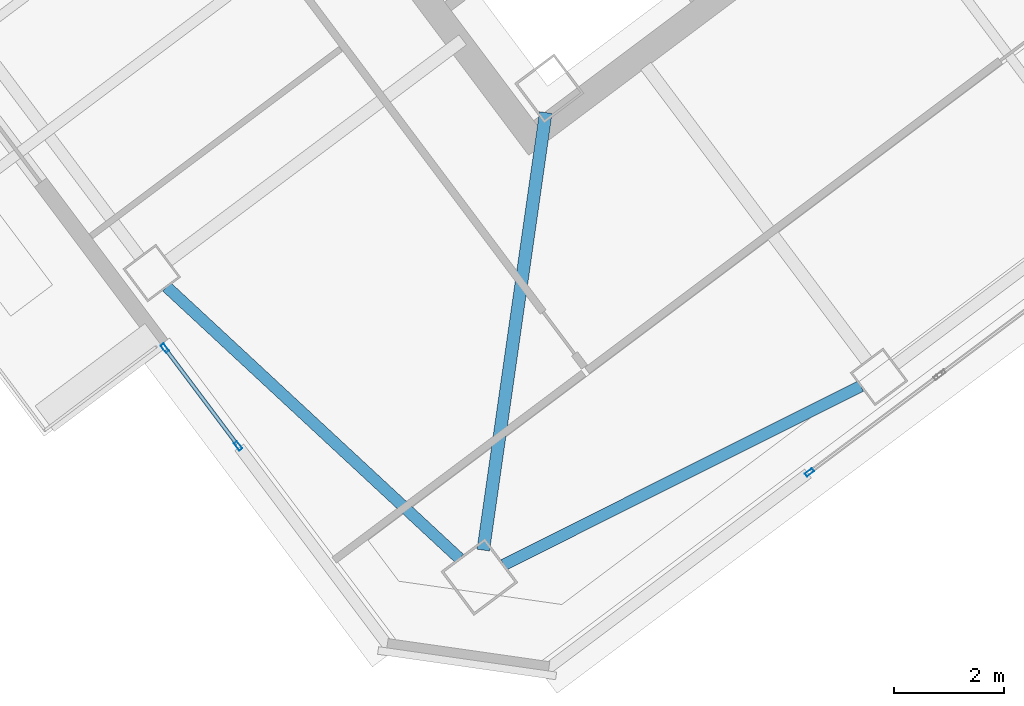
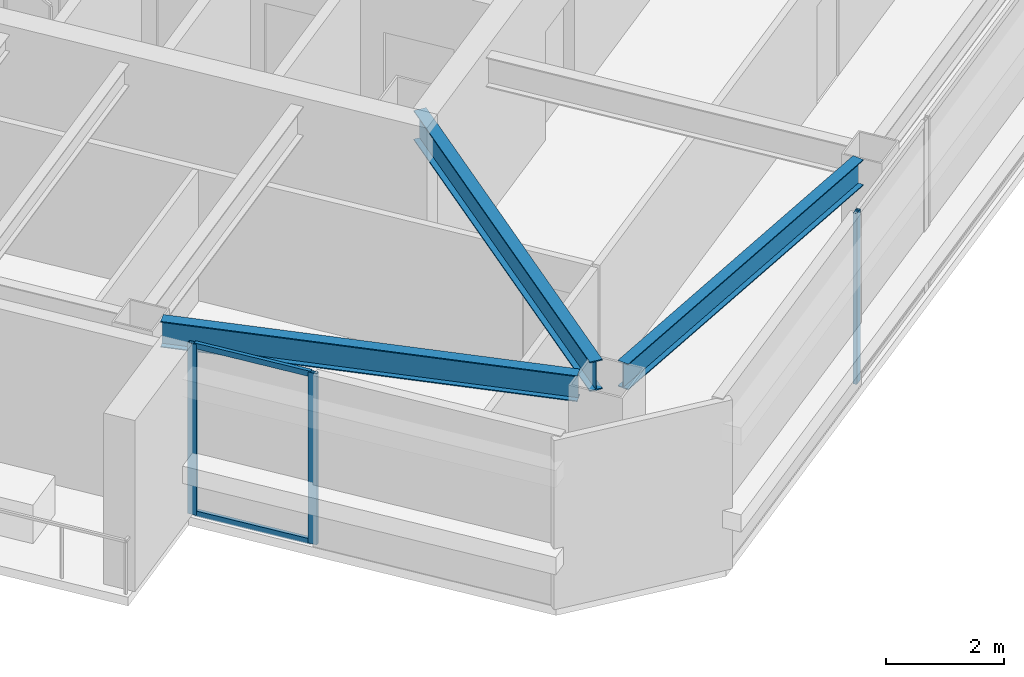
# One storey, part 17 of 39: 5 members, 3 beams, 2 elements without a shape of their own.
"""IFC4 building model written with IfcOpenShell, lengths in metres."""

from ifc_helpers import new_model, si_unit, direction, frame, origin, origin_2d, place, context, subcontext, project, spatial, hollow_rectangle, i_section, extrude, material, material_profile, profile_set, type_object, element, aggregate, save


model = new_model("IFC4")

# Units and contexts
model_context = context("Model", 3, precision=1e-05, world=origin(), true_north=direction((0.0, 1.0)))
body_context = subcontext(model_context, "Body", "Model", "MODEL_VIEW")
ifc_project = project(units=[si_unit("LENGTHUNIT", "METRE"), si_unit("AREAUNIT", "SQUARE_METRE"), si_unit("VOLUMEUNIT", "CUBIC_METRE"), si_unit("PLANEANGLEUNIT", "RADIAN"), si_unit("MASSUNIT", "GRAM", prefix="KILO")], contexts=[model_context])

# Site, building, storey
site_placement = place(None, origin())
site = spatial("IfcSite", under=ifc_project, at=site_placement, CompositionType="ELEMENT")
building_placement = place(site_placement, origin())
building = spatial("IfcBuilding", under=site, at=building_placement, Name="Tashvorn Skyway Center", CompositionType="ELEMENT")
storey_placement = place(building_placement, frame((0.0, 0.0, 225.5)))
storey = spatial("IfcBuildingStorey", under=building, at=storey_placement, Name="L61", CompositionType="ELEMENT", Elevation=225.5)

# Beams
ifc_material_1 = material(Name="Steel ASTM A992 Grade 50", Category="steel")
ifc_material_profile_1 = material_profile(ifc_material_1, i_section(OverallWidth=0.22998046875, OverallDepth=0.616943359375, WebThickness=0.01318359375, FlangeThickness=0.022216796875, at=origin_2d()), Name="W24X94")
ifc_profile_set_1 = profile_set([ifc_material_profile_1], Name="Steel ASTM A992 Grade 50")
beam_type_1 = type_object("IfcBeamType", Name="BM-BEAM-W24X94", PredefinedType="BEAM", material=ifc_profile_set_1)
beam_placement = place(storey_placement, frame((111.389892578125, 13.72998046875, 3.0615234375), z_axis=(0.141438360399, 0.989947064346, 0.0), x_axis=(-0.989947064346, 0.141438360399, 0.0)))
element("IfcBeam", 1, at=beam_placement, inside=storey, type_object=beam_type_1, Name="Tower 2 L61 Primary Floor Girder MC-SW", PredefinedType="BEAM", context=body_context, shape_type="SweptSolid", body=[
    extrude(i_section(OverallWidth=0.22998046875, OverallDepth=0.616943359375, WebThickness=0.01318359375, FlangeThickness=0.022216796875, at=origin_2d()), origin(), (0.0, 0.0, 1.0), 8.040283203125),
])
ifc_material_profile_2 = material_profile(ifc_material_1, i_section(OverallWidth=0.2109375, OverallDepth=0.5390625, WebThickness=0.01171875, FlangeThickness=0.018798828125, at=origin_2d()), Name="W21X73")
ifc_profile_set_2 = profile_set([ifc_material_profile_2], Name="Steel ASTM A992 Grade 50")
beam_type_2 = type_object("IfcBeamType", Name="BM-SPANDREL-W21X73", PredefinedType="SPANDREL", material=ifc_profile_set_2)
for number, where, z_axis, x_axis, name in (
    (2, (111.7626953125, 13.461669921875, 3.1005859375), (0.894178380472, 0.447710870872, 0.0), (-0.447710870872, 0.894178380472, 0.0), "Tower 2 L61 Spandrel Beam 01"),
    (3, (105.63134765625, 18.518310546875, 3.1005859375), (0.733042389989, -0.680182956622, 0.0), (0.680182956622, 0.733042389989, 0.0), "Tower 2 L61 Spandrel Beam 12"),
):
    element("IfcBeam", number, at=place(storey_placement, frame(where, z_axis=z_axis, x_axis=x_axis)), inside=storey, type_object=beam_type_2, Name=name, PredefinedType="SPANDREL", context=body_context, shape_type="SweptSolid", body=[
        extrude(i_section(OverallWidth=0.2109375, OverallDepth=0.5390625, WebThickness=0.01171875, FlangeThickness=0.018798828125, at=origin_2d()), origin(), (0.0, 0.0, 1.0), 7.26513671875),
    ])

# Curtain wall, member
ifc_material_2 = material(Name="Thermally broken bronze-anodized aluminium 6063-T6", Category="aluminium")
curtain_wall_type = type_object("IfcCurtainWallType", Name="CW-CW-Z5", PredefinedType="NOTDEFINED", material=ifc_material_2)
curtain_wall_1_placement = place(storey_placement, origin())
curtain_wall_1 = element("IfcCurtainWall", 4, at=curtain_wall_1_placement, inside=storey, type_object=curtain_wall_type, Name="Tower 2 L61 South Unitised Curtain Wall Glazing Group 3", PredefinedType="NOTDEFINED")
ifc_material_profile_3 = material_profile(ifc_material_2, hollow_rectangle(XDim=0.070068359375, YDim=0.1650390625, WallThickness=0.00390625, at=origin_2d()), Name="ALU-MULL-70x165")
ifc_profile_set_3 = profile_set([ifc_material_profile_3], Name="Thermally broken bronze-anodized aluminium 6063-T6")
member_type_1 = type_object("IfcMemberType", Name="CWM-CW-Z5", PredefinedType="MULLION", material=ifc_profile_set_3)
member_1_placement = place(storey_placement, frame((117.324951171875, 15.143798828125, 0.0), z_axis=(0.0, 0.0, 1.0), x_axis=(0.600000000002, -0.799999999998, 0.0)))
member_1 = element("IfcMember", 5, at=member_1_placement, type_object=member_type_1, Name="CW-Z5 mullion 2", PredefinedType="MULLION", context=body_context, shape_type="SweptSolid", body=[
    extrude(hollow_rectangle(XDim=0.070068359375, YDim=0.1650390625, WallThickness=0.00390625, at=origin_2d()), origin(), (0.0, 0.0, 1.0), 3.550048828125),
])
aggregate(curtain_wall_1, [member_1])

# Curtain wall, members
curtain_wall_2_placement = place(storey_placement, origin())
curtain_wall_2 = element("IfcCurtainWall", 6, at=curtain_wall_2_placement, inside=storey, type_object=curtain_wall_type, Name="Tower 2 L61 West Curtain Wall L Glazing Group 1", PredefinedType="NOTDEFINED")
member_2_placement = place(storey_placement, frame((106.930908203125, 15.625244140625, 0.0), z_axis=(0.0, 0.0, 1.0), x_axis=(-0.800005232469, -0.599993023312, 0.0)))
member_2 = element("IfcMember", 7, at=member_2_placement, type_object=member_type_1, Name="CW-Z5 mullion 1", PredefinedType="MULLION", context=body_context, shape_type="SweptSolid", body=[
    extrude(hollow_rectangle(XDim=0.070068359375, YDim=0.1650390625, WallThickness=0.00390625, at=origin_2d()), origin(), (0.0, 0.0, 1.0), 3.550048828125),
])
member_3_placement = place(storey_placement, frame((105.596923828125, 17.404052734375, 0.0), z_axis=(0.0, 0.0, 1.0), x_axis=(-0.800005232469, -0.599993023312, 0.0)))
member_3 = element("IfcMember", 8, at=member_3_placement, type_object=member_type_1, Name="CW-Z5 mullion 2", PredefinedType="MULLION", context=body_context, shape_type="SweptSolid", body=[
    extrude(hollow_rectangle(XDim=0.070068359375, YDim=0.1650390625, WallThickness=0.00390625, at=origin_2d()), origin(), (0.0, 0.0, 1.0), 3.550048828125),
])
ifc_material_profile_4 = material_profile(ifc_material_2, hollow_rectangle(XDim=0.070068359375, YDim=0.114990234375, WallThickness=0.00390625, at=origin_2d()), Name="ALU-TRAN-70x115")
ifc_profile_set_4 = profile_set([ifc_material_profile_4], Name="Thermally broken bronze-anodized aluminium 6063-T6")
member_type_2 = type_object("IfcMemberType", Name="CWT-CW-Z5", PredefinedType="USERDEFINED", material=ifc_profile_set_4)
member_4_placement = place(storey_placement, frame((106.909912109375, 15.6533203125, 0.034912109375), z_axis=(-0.6, 0.8, 0.0), x_axis=(-0.8, -0.6, 0.0)))
member_4 = element("IfcMember", 9, at=member_4_placement, type_object=member_type_2, Name="CW-Z5 transom 1.1", ObjectType="TRANSOM", PredefinedType="USERDEFINED", context=body_context, shape_type="SweptSolid", body=[
    extrude(hollow_rectangle(XDim=0.070068359375, YDim=0.114990234375, WallThickness=0.00390625, at=origin_2d()), origin(), (0.0, 0.0, 1.0), 2.1533203125),
])
member_5_placement = place(storey_placement, frame((106.909912109375, 15.6533203125, 3.514892578125), z_axis=(-0.6, 0.8, 0.0), x_axis=(-0.8, -0.6, 0.0)))
member_5 = element("IfcMember", 10, at=member_5_placement, type_object=member_type_2, Name="CW-Z5 transom 1.2", ObjectType="TRANSOM", PredefinedType="USERDEFINED", context=body_context, shape_type="SweptSolid", body=[
    extrude(hollow_rectangle(XDim=0.070068359375, YDim=0.114990234375, WallThickness=0.00390625, at=origin_2d()), origin(), (0.0, 0.0, 1.0), 2.1533203125),
])
aggregate(curtain_wall_2, [member_2, member_3, member_4, member_5])

save(model, "model.ifc")
